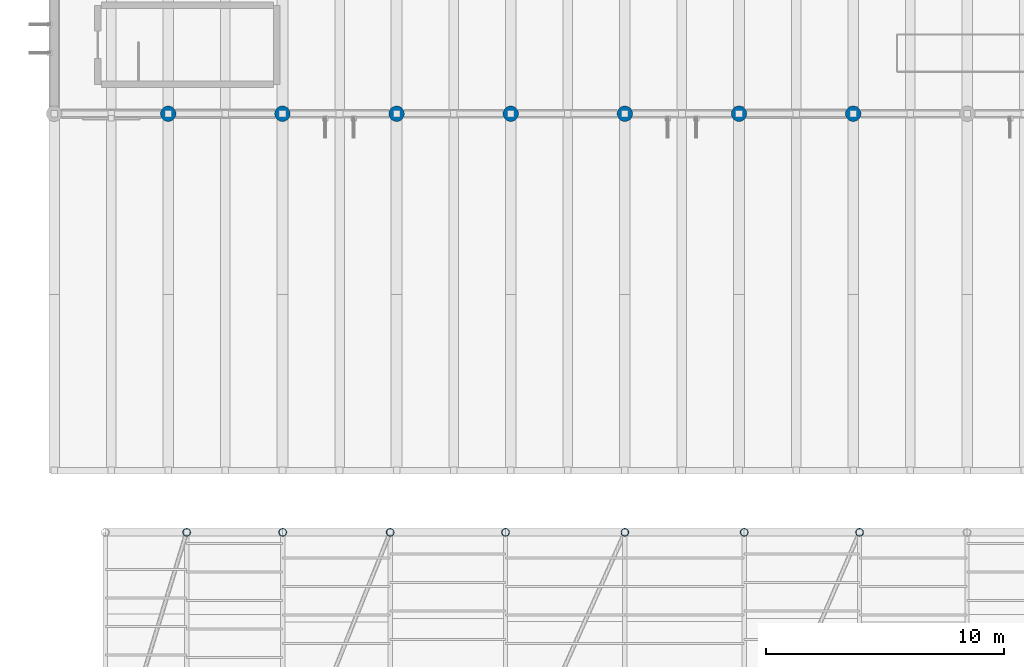
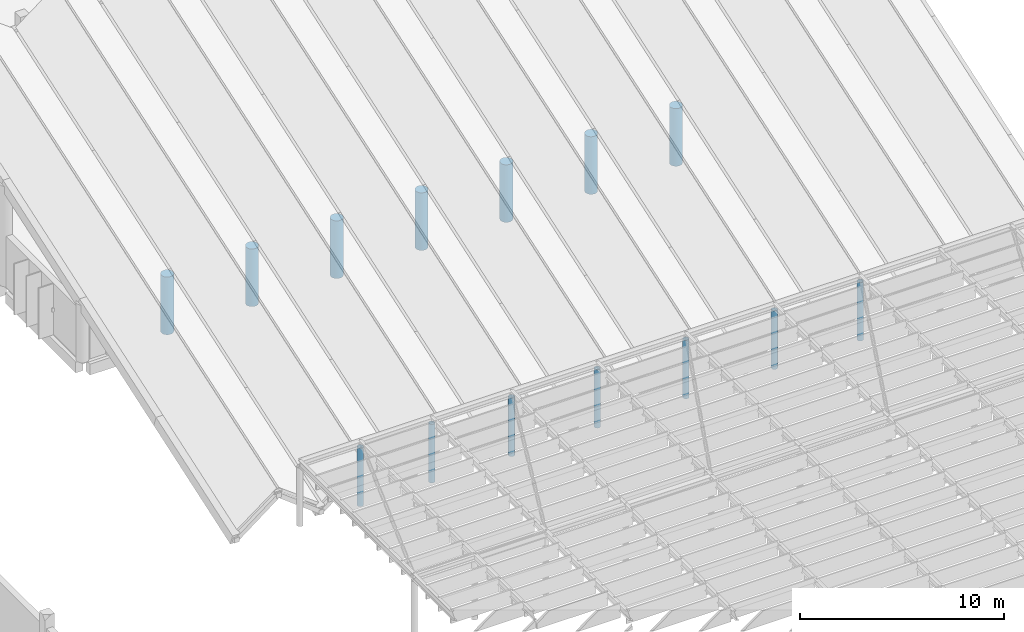
# One storey, part 9 of 47: 14 columns.
"""IFC4 building model written with IfcOpenShell, lengths in metres."""

import ifcopenshell
import ifcopenshell.guid

model = None  # the IFC model being written
_history = None  # IfcOwnerHistory: only IFC2X3 demands one
_inside = {}  # id of a spatial element -> (the spatial element, [elements in it])
_under = {}  # id of a project, library or spatial element -> (it, [spatial elements below it])
_declared = {}  # id of a project -> (the project, [libraries it declares])
_typed = {}  # id of a type object -> (the type object, [elements of that type])
_made_of = {}  # id of a material, layer set ... -> (it, [elements and type objects made of it])


def new_model(schema):
    """Start an empty IFC model of exactly this schema.

    Asked for "IFC4X3", IfcOpenShell would pick the latest addendum, in which some entities
    have other attributes; the version numbers below select the first issue.
    IFC2X3 requires an IfcOwnerHistory on every rooted entity: one is made here for all.
    """
    global model, _history
    if schema == "IFC4X3":
        model = ifcopenshell.file(schema_version=(4, 3, 0, 0))
    else:
        model = ifcopenshell.file(schema=schema)
    _inside.clear()
    _under.clear()
    _declared.clear()
    _typed.clear()
    _made_of.clear()
    _history = None
    if model.schema == "IFC2X3":
        org = make("IfcOrganization", Name="unknown")
        user = make(
            "IfcPersonAndOrganization",
            ThePerson=make("IfcPerson", FamilyName="unknown"),
            TheOrganization=org,
        )
        app = make(
            "IfcApplication",
            ApplicationDeveloper=org,
            Version="unknown",
            ApplicationFullName="unknown",
            ApplicationIdentifier="unknown",
        )
        _history = make(
            "IfcOwnerHistory",
            OwningUser=user,
            OwningApplication=app,
            ChangeAction="ADDED",
            CreationDate=0,
        )
    return model


def make(cls, **values):
    """One entity of the class cls with the attributes given. An attribute that is None is left unset."""
    return model.create_entity(
        cls, **{name: value for name, value in values.items() if value is not None}
    )


def rooted(cls, **values):
    """An entity with a GlobalId (a new one), such as an element, a storey or a relation."""
    return make(cls, GlobalId=ifcopenshell.guid.new(), OwnerHistory=_history, **values)


def si_unit(unit_type, name, prefix=None):
    """IfcSIUnit, for example si_unit("LENGTHUNIT", "METRE", prefix="MILLI")."""
    return make("IfcSIUnit", UnitType=unit_type, Prefix=prefix, Name=name)


def assignment(units):
    """IfcUnitAssignment: the units of a project."""
    return None if units is None else make("IfcUnitAssignment", Units=units)


def point(xyz):
    """IfcCartesianPoint."""
    return None if xyz is None else make("IfcCartesianPoint", Coordinates=xyz)


def direction(xyz):
    """IfcDirection."""
    return None if xyz is None else make("IfcDirection", DirectionRatios=xyz)


def frame(location, z_axis=None, x_axis=None):
    """IfcAxis2Placement3D, a coordinate frame: its origin and axes. An axis left out is left unset."""
    return make(
        "IfcAxis2Placement3D",
        Location=point(location),
        Axis=direction(z_axis),
        RefDirection=direction(x_axis),
    )


def frame_2d(location, x_axis=None):
    """IfcAxis2Placement2D, a coordinate frame in the plane: its origin and x axis."""
    return make(
        "IfcAxis2Placement2D", Location=point(location), RefDirection=direction(x_axis)
    )


def origin():
    """The frame at (0, 0, 0) with its axes left unset."""
    return frame((0.0, 0.0, 0.0))


def origin_2d():
    """The frame at (0, 0) in the plane with its x axis left unset."""
    return frame_2d((0.0, 0.0))


def place(relative_to, where):
    """IfcLocalPlacement: puts the frame where relative to a parent placement (None: the world)."""
    return make(
        "IfcLocalPlacement", PlacementRelTo=relative_to, RelativePlacement=where
    )


def context(
    kind, dimensions, precision=None, world=None, true_north=None, identifier=None
):
    """IfcGeometricRepresentationContext, for example the 3D "Model" context."""
    return make(
        "IfcGeometricRepresentationContext",
        ContextIdentifier=identifier,
        ContextType=kind,
        CoordinateSpaceDimension=dimensions,
        Precision=precision,
        WorldCoordinateSystem=world,
        TrueNorth=true_north,
    )


def subcontext(parent, identifier, kind, view, scale=None):
    """IfcGeometricRepresentationSubContext, for example "Body" below "Model"."""
    return make(
        "IfcGeometricRepresentationSubContext",
        ContextIdentifier=identifier,
        ContextType=kind,
        ParentContext=parent,
        TargetScale=scale,
        TargetView=view,
    )


def project(units=None, contexts=None):
    """IfcProject with its units and contexts."""
    return rooted(
        "IfcProject",
        Name="project",
        RepresentationContexts=contexts,
        UnitsInContext=assignment(units),
    )


def spatial(cls, under=None, at=None, **own):
    """A site, building, storey or space (cls), placed at a placement, below another one or the project."""
    s = rooted(cls, ObjectPlacement=at, **own)
    if under is not None:
        _under.setdefault(under.id(), (under, []))[1].append(s)
    return s


def profile(cls, at=None, kind="AREA", **sizes):
    """A parametric profile (cls). Its sizes go by their IFC names, for example OverallWidth=200.0."""
    return make(cls, ProfileType=kind, Position=at, **sizes)


def circle(**sizes):
    """IfcCircleProfileDef."""
    return profile("IfcCircleProfileDef", **sizes)


def hollow_circle(**sizes):
    """IfcCircleHollowProfileDef."""
    return profile("IfcCircleHollowProfileDef", **sizes)


def extrude(swept, where, along, depth):
    """IfcExtrudedAreaSolid: the profile swept, set in the frame where, extruded along a direction by depth."""
    return make(
        "IfcExtrudedAreaSolid",
        SweptArea=swept,
        Position=where,
        ExtrudedDirection=direction(along),
        Depth=depth,
    )


def shape(context_of_items, identifier, shape_type, items):
    """IfcShapeRepresentation: the items that make up one representation, for example the "Body"."""
    return make(
        "IfcShapeRepresentation",
        ContextOfItems=context_of_items,
        RepresentationIdentifier=identifier,
        RepresentationType=shape_type,
        Items=items,
    )


def material(Name=None, Category=None):
    """IfcMaterial."""
    return make("IfcMaterial", Name=Name, Category=Category)


def material_profile(
    of_material, cross_section, Name=None, Category=None, Priority=None
):
    """IfcMaterialProfile: a cross section and its material."""
    return make(
        "IfcMaterialProfile",
        Name=Name,
        Material=of_material,
        Profile=cross_section,
        Priority=Priority,
        Category=Category,
    )


def profile_set(profiles, Name=None, composite=None):
    """IfcMaterialProfileSet."""
    return make(
        "IfcMaterialProfileSet",
        Name=Name,
        MaterialProfiles=profiles,
        CompositeProfile=composite,
    )


def made_of(thing, what):
    """Note that an element or type object is made of a material, layer set ...; save() writes the relation."""
    if what is not None:
        _made_of.setdefault(what.id(), (what, []))[1].append(thing)
    return thing


def type_object(cls, material=None, **own):
    """A type object (cls), such as IfcWallType, which elements share."""
    return made_of(rooted(cls, **own), material)


def element(
    cls,
    number,
    at=None,
    inside=None,
    cuts=None,
    type_object=None,
    material=None,
    context=None,
    identifier="Body",
    shape_type=None,
    held_by="IfcProductDefinitionShape",
    body=None,
    shapes=None,
    **own,
):
    """One element of the class cls, such as IfcWall. Its Tag is "e" and its number.

    at: its placement. inside: the storey or other place that contains it. cuts: it is an
    opening in that element (IfcRelVoidsElement). A single representation is given by context,
    identifier, shape_type and body (its items); several are given by shapes. held_by: the class
    of the entity that holds the representations. save() writes the other relations.
    """
    e = rooted(cls, Tag="e%d" % number, ObjectPlacement=at, **own)
    if body is not None:
        shapes = [shape(context, identifier, shape_type, body)]
    if shapes is not None:
        e.Representation = make(held_by, Representations=shapes)
    if inside is not None:
        _inside.setdefault(inside.id(), (inside, []))[1].append(e)
    if cuts is not None:
        rooted(
            "IfcRelVoidsElement", RelatingBuildingElement=cuts, RelatedOpeningElement=e
        )
    if type_object is not None:
        _typed.setdefault(type_object.id(), (type_object, []))[1].append(e)
    return made_of(e, material)


def aggregate(whole, parts):
    """IfcRelAggregates: a whole, such as a stair, and the parts it consists of."""
    return rooted("IfcRelAggregates", RelatingObject=whole, RelatedObjects=parts)


def save(model, path):
    """Write the relations noted so far, then the file.

    IfcRelAggregates (storeys below a building ...), IfcRelContainedInSpatialStructure (elements
    in a storey), IfcRelDefinesByType, IfcRelAssociatesMaterial and IfcRelDeclares: one each for
    every whole, place, type object, material and project.
    """
    for whole, parts in _under.values():
        aggregate(whole, parts)
    for where, things in _inside.values():
        rooted(
            "IfcRelContainedInSpatialStructure",
            RelatedElements=things,
            RelatingStructure=where,
        )
    for kind, things in _typed.values():
        rooted("IfcRelDefinesByType", RelatedObjects=things, RelatingType=kind)
    for what, things in _made_of.values():
        rooted("IfcRelAssociatesMaterial", RelatedObjects=things, RelatingMaterial=what)
    for by, libraries in _declared.values():
        rooted("IfcRelDeclares", RelatingContext=by, RelatedDefinitions=libraries)
    model.write(path)


model = new_model("IFC4")

# Units and contexts
model_context = context("Model", 3, precision=1e-05, world=origin(), true_north=direction((0.0, 1.0)))
body_context = subcontext(model_context, "Body", "Model", "MODEL_VIEW")
ifc_project = project(units=[si_unit("LENGTHUNIT", "METRE"), si_unit("AREAUNIT", "SQUARE_METRE"), si_unit("VOLUMEUNIT", "CUBIC_METRE"), si_unit("PLANEANGLEUNIT", "RADIAN"), si_unit("MASSUNIT", "GRAM", prefix="KILO")], contexts=[model_context])

# Site, building, storey
site_placement = place(None, origin())
site = spatial("IfcSite", under=ifc_project, at=site_placement, CompositionType="ELEMENT")
building_placement = place(site_placement, origin())
building = spatial("IfcBuilding", under=site, at=building_placement, Name="Mawjan Specialist Oncology Clinic", CompositionType="ELEMENT")
storey_placement = place(building_placement, frame((0.0, 0.0, 9.5)))
storey = spatial("IfcBuildingStorey", under=building, at=storey_placement, Name="L02", CompositionType="ELEMENT", Elevation=9.5)

# Columns
ifc_material_1 = material(Name="Concrete C45/55", Category="concrete")
ifc_material_profile_1 = material_profile(ifc_material_1, circle(Radius=0.324951171875, at=origin_2d()), Name="RC COL D650", Category="concrete")
ifc_profile_set_1 = profile_set([ifc_material_profile_1], Name="Concrete C45/55")
column_type_1 = type_object("IfcColumnType", Name="C-D650", PredefinedType="COLUMN", material=ifc_profile_set_1)
for number, where, z_axis, x_axis, name in (
    (1, (64.800048828125, 60.800048828125, 0.0), (0.0, 0.0, 1.0), (1.0, 0.0, 0.0), "Hall Valley L02 Column 2-60"),
    (2, (69.60009765625, 60.800048828125, 0.0), (0.0, 0.0, 1.0), (1.0, 0.0, 0.0), "Hall Valley L02 Column 3-60"),
    (3, (74.39990234375, 60.800048828125, 0.0), (0.0, 0.0, 1.0), (1.0, 0.0, 0.0), "Hall Valley L02 Column 4-60"),
    (4, (79.199951171875, 60.800048828125, 0.0), (0.0, 0.0, 1.0), (1.0, 0.0, 0.0), "Hall Valley L02 Column 5-60"),
    (5, (84.0, 60.800048828125, 0.0), (0.0, 0.0, 1.0), (1.0, 0.0, 0.0), "Hall Valley L02 Column 6-60"),
    (6, (88.800048828125, 60.800048828125, 0.0), (0.0, 0.0, 1.0), (1.0, 0.0, 0.0), "Hall Valley L02 Column 7-60"),
    (7, (93.60009765625, 60.800048828125, 0.0), (0.0, 0.0, 1.0), (1.0, 0.0, 0.0), "Hall Valley L02 Column 8-60"),
):
    element("IfcColumn", number, at=place(storey_placement, frame(where, z_axis=z_axis, x_axis=x_axis)), inside=storey, type_object=column_type_1, Name=name, PredefinedType="COLUMN", context=body_context, shape_type="SweptSolid", body=[
        extrude(circle(Radius=0.324951171875, at=origin_2d()), origin(), (0.0, 0.0, 1.0), 3.449951171875),
    ])
ifc_material_2 = material(Name="Structural steel S355", Category="steel")
ifc_material_profile_2 = material_profile(ifc_material_2, hollow_circle(Radius=0.161865234375, WallThickness=0.011962890625, at=origin_2d()), Name="CHS 323.9x12", Category="steel")
ifc_profile_set_2 = profile_set([ifc_material_profile_2], Name="Structural steel S355")
column_type_2 = type_object("IfcColumnType", Name="SC-CHS324", PredefinedType="COLUMN", material=ifc_profile_set_2)
for number, where, z_axis, x_axis, name in (
    (8, (65.573486328125, 43.199951171875, 0.0), (0.0, 0.0, 1.0), (1.0, 0.0, 0.0), "Courtyard North Colonnade Column 02 L02"),
    (9, (69.611328125, 43.199951171875, 0.0), (0.0, 0.0, 1.0), (1.0, 0.0, 0.0), "Courtyard North Colonnade Column 03 L02"),
    (10, (74.131103515625, 43.199951171875, 0.0), (0.0, 0.0, 1.0), (1.0, 0.0, 0.0), "Courtyard North Colonnade Column 04 L02"),
    (11, (78.981689453125, 43.199951171875, 0.0), (0.0, 0.0, 1.0), (1.0, 0.0, 0.0), "Courtyard North Colonnade Column 05 L02"),
    (12, (84.0, 43.199951171875, 0.0), (0.0, 0.0, 1.0), (1.0, 0.0, 0.0), "Courtyard North Colonnade Column 06 L02"),
    (13, (89.018310546875, 43.199951171875, 0.0), (0.0, 0.0, 1.0), (1.0, 0.0, 0.0), "Courtyard North Colonnade Column 07 L02"),
    (14, (93.868896484375, 43.199951171875, 0.0), (0.0, 0.0, 1.0), (1.0, 0.0, 0.0), "Courtyard North Colonnade Column 08 L02"),
):
    element("IfcColumn", number, at=place(storey_placement, frame(where, z_axis=z_axis, x_axis=x_axis)), inside=storey, type_object=column_type_2, Name=name, PredefinedType="COLUMN", context=body_context, shape_type="SweptSolid", body=[
        extrude(hollow_circle(Radius=0.161865234375, WallThickness=0.011962890625, at=origin_2d()), origin(), (0.0, 0.0, 1.0), 3.5),
    ])

save(model, "model.ifc")
